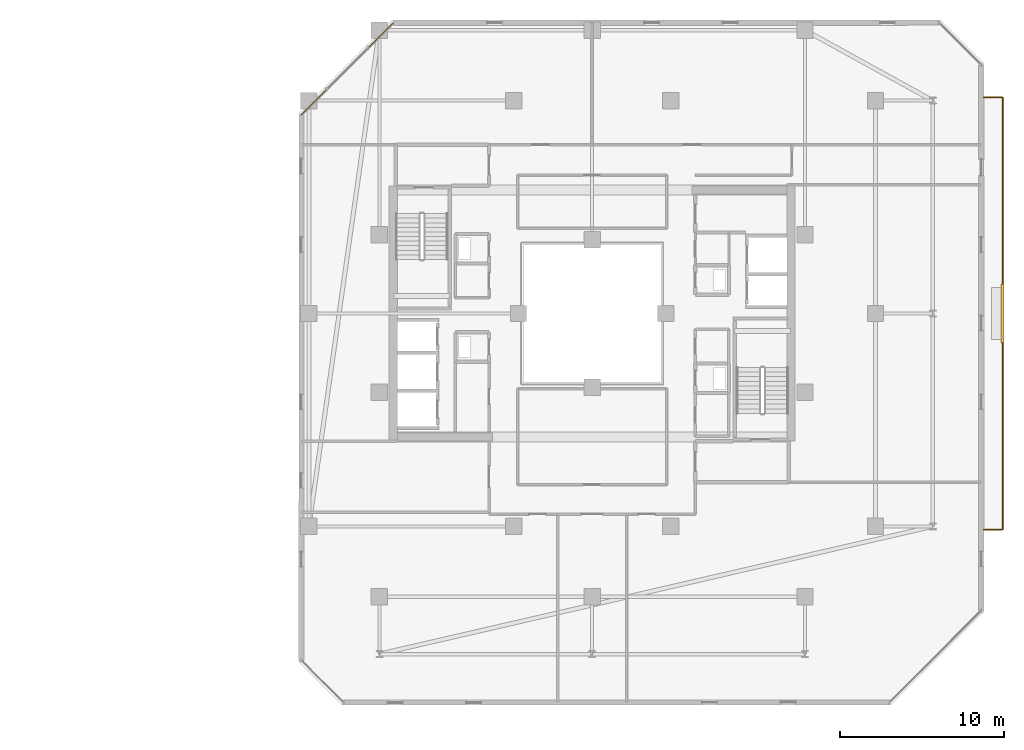
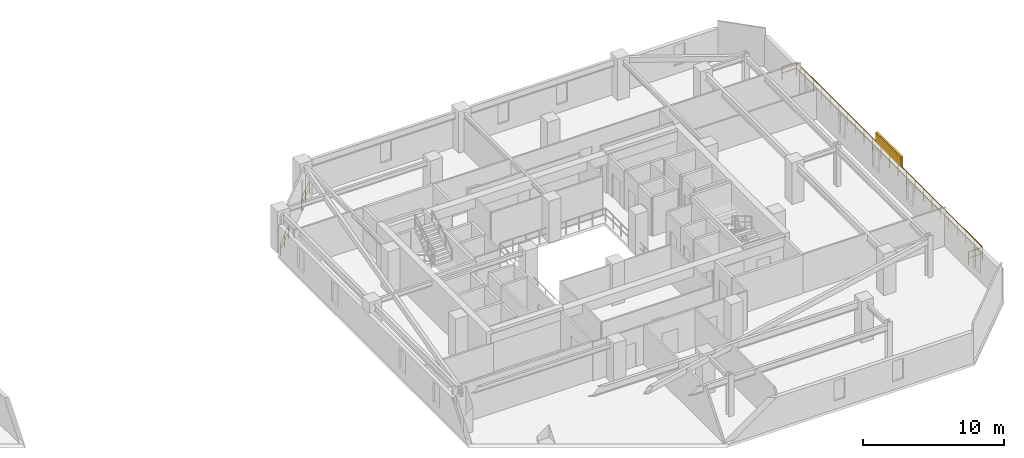
# One storey, part 31 of 31: 3 railings, 1 shading device.
"""IFC4 building model written with IfcOpenShell, lengths in metres."""

from ifc_helpers import new_model, si_unit, direction, frame, origin, origin_2d, place, context, subcontext, project, spatial, rectangle, extrude, material, type_object, element, save


model = new_model("IFC4")

# Units and contexts
model_context = context("Model", 3, precision=1e-05, world=origin(), true_north=direction((0.0, 1.0)))
body_context = subcontext(model_context, "Body", "Model", "MODEL_VIEW")
ifc_project = project(units=[si_unit("LENGTHUNIT", "METRE"), si_unit("AREAUNIT", "SQUARE_METRE"), si_unit("VOLUMEUNIT", "CUBIC_METRE"), si_unit("PLANEANGLEUNIT", "RADIAN"), si_unit("MASSUNIT", "GRAM", prefix="KILO")], contexts=[model_context])

# Site, building, storey
site_placement = place(None, origin())
site = spatial("IfcSite", under=ifc_project, at=site_placement, CompositionType="ELEMENT")
building_placement = place(site_placement, origin())
building = spatial("IfcBuilding", under=site, at=building_placement, Name="Thornwick Lancets Civic Towers", CompositionType="ELEMENT")
storey_placement = place(building_placement, frame((0.0, 0.0, 236.699951171875)))
storey = spatial("IfcBuildingStorey", under=building, at=storey_placement, Name="L63", CompositionType="ELEMENT", Elevation=236.699951171875)

# Railings
ifc_material_1 = material(Name="Terracotta-capped laminated glass balustrade S355", Category="masonry")
railing_type = type_object("IfcRailingType", Name="RAIL_TERR_GUARD", PredefinedType="GUARDRAIL", material=ifc_material_1)
railing_1_placement = place(storey_placement, frame((76.35205078125, 44.754638671875, 0.0)))
element("IfcRailing", 1, at=railing_1_placement, inside=storey, type_object=railing_type, Name="L63 Tower B Chamfer Spandrel Guard E5-1", PredefinedType="GUARDRAIL", context=body_context, shape_type="SweptSolid", body=[
    extrude(rectangle(XDim=0.048095703125, YDim=0.048095703125, at=origin_2d()), frame((0.0, 0.0, 1.1259765625), z_axis=(-0.707050628177, -0.707162929738, 0.0), x_axis=(0.707162929738, -0.707050628177, 0.0)), (0.0, 0.0, 1.0), 2.174072265625),
    extrude(rectangle(XDim=0.0419921875, YDim=0.0419921875, at=origin_2d()), frame((-0.026611328125, -0.026611328125, 0.597900390625), z_axis=(-0.707050628177, -0.707162929738, 0.0), x_axis=(0.707162929738, -0.707050628177, 0.0)), (0.0, 0.0, 1.0), 1.011962890625),
    extrude(rectangle(XDim=0.0419921875, YDim=0.0419921875, at=origin_2d()), frame((-0.795166015625, -0.795166015625, 0.597900390625), z_axis=(-0.707050628177, -0.707162929738, 0.0), x_axis=(0.707162929738, -0.707050628177, 0.0)), (0.0, 0.0, 1.0), 1.011962890625),
    extrude(rectangle(XDim=0.0419921875, YDim=0.0419921875, at=origin_2d()), origin(), (0.0, 0.0, 1.0), 1.095703125),
    extrude(rectangle(XDim=0.0419921875, YDim=0.0419921875, at=origin_2d()), frame((-0.7685546875, -0.7685546875, 0.0)), (0.0, 0.0, 1.0), 1.095703125),
    extrude(rectangle(XDim=0.0419921875, YDim=0.0419921875, at=origin_2d()), frame((-1.537109375, -1.537353515625, 0.0)), (0.0, 0.0, 1.0), 1.095703125),
])
railing_2_placement = place(storey_placement, frame((72.28271484375, 40.68505859375, 0.0)))
element("IfcRailing", 2, at=railing_2_placement, inside=storey, type_object=railing_type, Name="L63 Tower B Chamfer Spandrel Guard E5-2", PredefinedType="GUARDRAIL", context=body_context, shape_type="SweptSolid", body=[
    extrude(rectangle(XDim=0.048095703125, YDim=0.048095703125, at=origin_2d()), frame((0.0, 0.0, 1.1259765625), z_axis=(-0.707162929738, -0.707050628177, 0.0), x_axis=(0.707050628177, -0.707162929738, 0.0)), (0.0, 0.0, 1.0), 2.174072265625),
    extrude(rectangle(XDim=0.0419921875, YDim=0.0419921875, at=origin_2d()), frame((-0.026611328125, -0.026611328125, 0.597900390625), z_axis=(-0.707162929738, -0.707050628177, 0.0), x_axis=(0.707050628177, -0.707162929738, 0.0)), (0.0, 0.0, 1.0), 1.011962890625),
    extrude(rectangle(XDim=0.0419921875, YDim=0.0419921875, at=origin_2d()), frame((-0.795166015625, -0.795166015625, 0.597900390625), z_axis=(-0.707162929738, -0.707050628177, 0.0), x_axis=(0.707050628177, -0.707162929738, 0.0)), (0.0, 0.0, 1.0), 1.011962890625),
    extrude(rectangle(XDim=0.0419921875, YDim=0.0419921875, at=origin_2d()), origin(), (0.0, 0.0, 1.0), 1.095703125),
    extrude(rectangle(XDim=0.0419921875, YDim=0.0419921875, at=origin_2d()), frame((-0.7685546875, -0.7685546875, 0.0)), (0.0, 0.0, 1.0), 1.095703125),
    extrude(rectangle(XDim=0.0419921875, YDim=0.0419921875, at=origin_2d()), frame((-1.537353515625, -1.537109375, 0.0)), (0.0, 0.0, 1.0), 1.095703125),
])
railing_3_placement = place(storey_placement, frame((112.39990234375, 13.800048828125, 0.0)))
element("IfcRailing", 3, at=railing_3_placement, inside=storey, type_object=railing_type, Name="L63 Tower B Balcony Guard E", PredefinedType="GUARDRAIL", context=body_context, shape_type="SweptSolid", body=[
    extrude(rectangle(XDim=0.048095703125, YDim=0.048095703125, at=origin_2d()), frame((0.0, 0.0, 1.1259765625), z_axis=(1.0, 0.0, 0.0), x_axis=(0.0, 1.0, 0.0)), (0.0, 0.0, 1.0), 1.138916015625),
    extrude(rectangle(XDim=0.0419921875, YDim=0.0419921875, at=origin_2d()), frame((0.03759765625, 0.0, 0.597900390625), z_axis=(1.0, 0.0, 0.0), x_axis=(0.0, 1.0, 0.0)), (0.0, 0.0, 1.0), 1.09521484375),
    extrude(rectangle(XDim=0.048095703125, YDim=0.048095703125, at=origin_2d()), frame((1.170166015625, 0.03125, 1.1259765625), z_axis=(0.0, 1.0, 0.0), x_axis=(-1.0, 0.0, 0.0)), (0.0, 0.0, 1.0), 26.33740234375),
    extrude(rectangle(XDim=0.0419921875, YDim=0.0419921875, at=origin_2d()), frame((1.170166015625, 0.03759765625, 0.597900390625), z_axis=(0.0, 1.0, 0.0), x_axis=(-1.0, 0.0, 0.0)), (0.0, 0.0, 1.0), 1.125),
    extrude(rectangle(XDim=0.0419921875, YDim=0.0419921875, at=origin_2d()), frame((1.170166015625, 1.237548828125, 0.597900390625), z_axis=(0.0, 1.0, 0.0), x_axis=(-1.0, 0.0, 0.0)), (0.0, 0.0, 1.0), 1.125),
    extrude(rectangle(XDim=0.0419921875, YDim=0.0419921875, at=origin_2d()), frame((1.170166015625, 2.4375, 0.597900390625), z_axis=(0.0, 1.0, 0.0), x_axis=(-1.0, 0.0, 0.0)), (0.0, 0.0, 1.0), 1.125),
    extrude(rectangle(XDim=0.0419921875, YDim=0.0419921875, at=origin_2d()), frame((1.170166015625, 3.637451171875, 0.597900390625), z_axis=(0.0, 1.0, 0.0), x_axis=(-1.0, 0.0, 0.0)), (0.0, 0.0, 1.0), 1.125),
    extrude(rectangle(XDim=0.0419921875, YDim=0.0419921875, at=origin_2d()), frame((1.170166015625, 4.83740234375, 0.597900390625), z_axis=(0.0, 1.0, 0.0), x_axis=(-1.0, 0.0, 0.0)), (0.0, 0.0, 1.0), 1.125),
    extrude(rectangle(XDim=0.0419921875, YDim=0.0419921875, at=origin_2d()), frame((1.170166015625, 6.037353515625, 0.597900390625), z_axis=(0.0, 1.0, 0.0), x_axis=(-1.0, 0.0, 0.0)), (0.0, 0.0, 1.0), 1.125),
    extrude(rectangle(XDim=0.0419921875, YDim=0.0419921875, at=origin_2d()), frame((1.170166015625, 7.237548828125, 0.597900390625), z_axis=(0.0, 1.0, 0.0), x_axis=(-1.0, 0.0, 0.0)), (0.0, 0.0, 1.0), 1.125),
    extrude(rectangle(XDim=0.0419921875, YDim=0.0419921875, at=origin_2d()), frame((1.170166015625, 8.4375, 0.597900390625), z_axis=(0.0, 1.0, 0.0), x_axis=(-1.0, 0.0, 0.0)), (0.0, 0.0, 1.0), 1.125),
    extrude(rectangle(XDim=0.0419921875, YDim=0.0419921875, at=origin_2d()), frame((1.170166015625, 9.637451171875, 0.597900390625), z_axis=(0.0, 1.0, 0.0), x_axis=(-1.0, 0.0, 0.0)), (0.0, 0.0, 1.0), 1.125),
    extrude(rectangle(XDim=0.0419921875, YDim=0.0419921875, at=origin_2d()), frame((1.170166015625, 10.83740234375, 0.597900390625), z_axis=(0.0, 1.0, 0.0), x_axis=(-1.0, 0.0, 0.0)), (0.0, 0.0, 1.0), 1.125),
    extrude(rectangle(XDim=0.0419921875, YDim=0.0419921875, at=origin_2d()), frame((1.170166015625, 12.037353515625, 0.597900390625), z_axis=(0.0, 1.0, 0.0), x_axis=(-1.0, 0.0, 0.0)), (0.0, 0.0, 1.0), 1.125),
    extrude(rectangle(XDim=0.0419921875, YDim=0.0419921875, at=origin_2d()), frame((1.170166015625, 13.237548828125, 0.597900390625), z_axis=(0.0, 1.0, 0.0), x_axis=(-1.0, 0.0, 0.0)), (0.0, 0.0, 1.0), 1.125),
    extrude(rectangle(XDim=0.0419921875, YDim=0.0419921875, at=origin_2d()), frame((1.170166015625, 14.4375, 0.597900390625), z_axis=(0.0, 1.0, 0.0), x_axis=(-1.0, 0.0, 0.0)), (0.0, 0.0, 1.0), 1.125),
    extrude(rectangle(XDim=0.0419921875, YDim=0.0419921875, at=origin_2d()), frame((1.170166015625, 15.637451171875, 0.597900390625), z_axis=(0.0, 1.0, 0.0), x_axis=(-1.0, 0.0, 0.0)), (0.0, 0.0, 1.0), 1.125),
    extrude(rectangle(XDim=0.0419921875, YDim=0.0419921875, at=origin_2d()), frame((1.170166015625, 16.83740234375, 0.597900390625), z_axis=(0.0, 1.0, 0.0), x_axis=(-1.0, 0.0, 0.0)), (0.0, 0.0, 1.0), 1.125),
    extrude(rectangle(XDim=0.0419921875, YDim=0.0419921875, at=origin_2d()), frame((1.170166015625, 18.037353515625, 0.597900390625), z_axis=(0.0, 1.0, 0.0), x_axis=(-1.0, 0.0, 0.0)), (0.0, 0.0, 1.0), 1.125),
    extrude(rectangle(XDim=0.0419921875, YDim=0.0419921875, at=origin_2d()), frame((1.170166015625, 19.2373046875, 0.597900390625), z_axis=(0.0, 1.0, 0.0), x_axis=(-1.0, 0.0, 0.0)), (0.0, 0.0, 1.0), 1.125),
    extrude(rectangle(XDim=0.0419921875, YDim=0.0419921875, at=origin_2d()), frame((1.170166015625, 20.4375, 0.597900390625), z_axis=(0.0, 1.0, 0.0), x_axis=(-1.0, 0.0, 0.0)), (0.0, 0.0, 1.0), 1.125),
    extrude(rectangle(XDim=0.0419921875, YDim=0.0419921875, at=origin_2d()), frame((1.170166015625, 21.637451171875, 0.597900390625), z_axis=(0.0, 1.0, 0.0), x_axis=(-1.0, 0.0, 0.0)), (0.0, 0.0, 1.0), 1.125),
    extrude(rectangle(XDim=0.0419921875, YDim=0.0419921875, at=origin_2d()), frame((1.170166015625, 22.83740234375, 0.597900390625), z_axis=(0.0, 1.0, 0.0), x_axis=(-1.0, 0.0, 0.0)), (0.0, 0.0, 1.0), 1.125),
    extrude(rectangle(XDim=0.0419921875, YDim=0.0419921875, at=origin_2d()), frame((1.170166015625, 24.037353515625, 0.597900390625), z_axis=(0.0, 1.0, 0.0), x_axis=(-1.0, 0.0, 0.0)), (0.0, 0.0, 1.0), 1.125),
    extrude(rectangle(XDim=0.0419921875, YDim=0.0419921875, at=origin_2d()), frame((1.170166015625, 25.2373046875, 0.597900390625), z_axis=(0.0, 1.0, 0.0), x_axis=(-1.0, 0.0, 0.0)), (0.0, 0.0, 1.0), 1.125),
    extrude(rectangle(XDim=0.048095703125, YDim=0.048095703125, at=origin_2d()), frame((1.138916015625, 26.39990234375, 1.1259765625), z_axis=(-1.0, 0.0, 0.0), x_axis=(0.0, -1.0, 0.0)), (0.0, 0.0, 1.0), 1.138916015625),
    extrude(rectangle(XDim=0.0419921875, YDim=0.0419921875, at=origin_2d()), frame((1.132568359375, 26.39990234375, 0.597900390625), z_axis=(-1.0, 0.0, 0.0), x_axis=(0.0, -1.0, 0.0)), (0.0, 0.0, 1.0), 1.09521484375),
    extrude(rectangle(XDim=0.0419921875, YDim=0.0419921875, at=origin_2d()), origin(), (0.0, 0.0, 1.0), 1.095703125),
    extrude(rectangle(XDim=0.0419921875, YDim=0.0419921875, at=origin_2d()), frame((1.170166015625, 0.0, 0.0)), (0.0, 0.0, 1.0), 1.095703125),
    extrude(rectangle(XDim=0.0419921875, YDim=0.0419921875, at=origin_2d()), frame((1.170166015625, 1.199951171875, 0.0)), (0.0, 0.0, 1.0), 1.095703125),
    extrude(rectangle(XDim=0.0419921875, YDim=0.0419921875, at=origin_2d()), frame((1.170166015625, 2.39990234375, 0.0)), (0.0, 0.0, 1.0), 1.095703125),
    extrude(rectangle(XDim=0.0419921875, YDim=0.0419921875, at=origin_2d()), frame((1.170166015625, 3.60009765625, 0.0)), (0.0, 0.0, 1.0), 1.095703125),
    extrude(rectangle(XDim=0.0419921875, YDim=0.0419921875, at=origin_2d()), frame((1.170166015625, 4.800048828125, 0.0)), (0.0, 0.0, 1.0), 1.095703125),
    extrude(rectangle(XDim=0.0419921875, YDim=0.0419921875, at=origin_2d()), frame((1.170166015625, 6.0, 0.0)), (0.0, 0.0, 1.0), 1.095703125),
    extrude(rectangle(XDim=0.0419921875, YDim=0.0419921875, at=origin_2d()), frame((1.170166015625, 7.199951171875, 0.0)), (0.0, 0.0, 1.0), 1.095703125),
    extrude(rectangle(XDim=0.0419921875, YDim=0.0419921875, at=origin_2d()), frame((1.170166015625, 8.39990234375, 0.0)), (0.0, 0.0, 1.0), 1.095703125),
    extrude(rectangle(XDim=0.0419921875, YDim=0.0419921875, at=origin_2d()), frame((1.170166015625, 9.599853515625, 0.0)), (0.0, 0.0, 1.0), 1.095703125),
    extrude(rectangle(XDim=0.0419921875, YDim=0.0419921875, at=origin_2d()), frame((1.170166015625, 10.800048828125, 0.0)), (0.0, 0.0, 1.0), 1.095703125),
    extrude(rectangle(XDim=0.0419921875, YDim=0.0419921875, at=origin_2d()), frame((1.170166015625, 12.0, 0.0)), (0.0, 0.0, 1.0), 1.095703125),
    extrude(rectangle(XDim=0.0419921875, YDim=0.0419921875, at=origin_2d()), frame((1.170166015625, 13.199951171875, 0.0)), (0.0, 0.0, 1.0), 1.095703125),
    extrude(rectangle(XDim=0.0419921875, YDim=0.0419921875, at=origin_2d()), frame((1.170166015625, 14.39990234375, 0.0)), (0.0, 0.0, 1.0), 1.095703125),
    extrude(rectangle(XDim=0.0419921875, YDim=0.0419921875, at=origin_2d()), frame((1.170166015625, 15.599853515625, 0.0)), (0.0, 0.0, 1.0), 1.095703125),
    extrude(rectangle(XDim=0.0419921875, YDim=0.0419921875, at=origin_2d()), frame((1.170166015625, 16.800048828125, 0.0)), (0.0, 0.0, 1.0), 1.095703125),
    extrude(rectangle(XDim=0.0419921875, YDim=0.0419921875, at=origin_2d()), frame((1.170166015625, 18.0, 0.0)), (0.0, 0.0, 1.0), 1.095703125),
    extrude(rectangle(XDim=0.0419921875, YDim=0.0419921875, at=origin_2d()), frame((1.170166015625, 19.199951171875, 0.0)), (0.0, 0.0, 1.0), 1.095703125),
    extrude(rectangle(XDim=0.0419921875, YDim=0.0419921875, at=origin_2d()), frame((1.170166015625, 20.39990234375, 0.0)), (0.0, 0.0, 1.0), 1.095703125),
    extrude(rectangle(XDim=0.0419921875, YDim=0.0419921875, at=origin_2d()), frame((1.170166015625, 21.599853515625, 0.0)), (0.0, 0.0, 1.0), 1.095703125),
    extrude(rectangle(XDim=0.0419921875, YDim=0.0419921875, at=origin_2d()), frame((1.170166015625, 22.7998046875, 0.0)), (0.0, 0.0, 1.0), 1.095703125),
    extrude(rectangle(XDim=0.0419921875, YDim=0.0419921875, at=origin_2d()), frame((1.170166015625, 24.0, 0.0)), (0.0, 0.0, 1.0), 1.095703125),
    extrude(rectangle(XDim=0.0419921875, YDim=0.0419921875, at=origin_2d()), frame((1.170166015625, 25.199951171875, 0.0)), (0.0, 0.0, 1.0), 1.095703125),
    extrude(rectangle(XDim=0.0419921875, YDim=0.0419921875, at=origin_2d()), frame((1.170166015625, 26.39990234375, 0.0)), (0.0, 0.0, 1.0), 1.095703125),
    extrude(rectangle(XDim=0.0419921875, YDim=0.0419921875, at=origin_2d()), frame((0.0, 26.39990234375, 0.0)), (0.0, 0.0, 1.0), 1.095703125),
])

# Shading device
ifc_material_2 = material(Name="Extruded terracotta baguette solar screen", Category="masonry")
shading_device_type = type_object("IfcShadingDeviceType", Name="SHADE_BAGUETTE", PredefinedType="JALOUSIE", material=ifc_material_2)
shading_device_placement = place(storey_placement, frame((113.56005859375, 27.0, 1.1201171875), z_axis=(0.0, 0.0, 1.0), x_axis=(0.0, 1.0, 0.0)))
element("IfcShadingDevice", 4, at=shading_device_placement, inside=storey, type_object=shading_device_type, Name="L63 Tower B Terracotta Baguette Screen E", PredefinedType="JALOUSIE", context=body_context, shape_type="SweptSolid", body=[
    extrude(rectangle(XDim=3.60009765625, YDim=0.179931640625, at=origin_2d()), origin(), (0.0, 0.0, 1.0), 0.89990234375),
])

save(model, "model.ifc")
